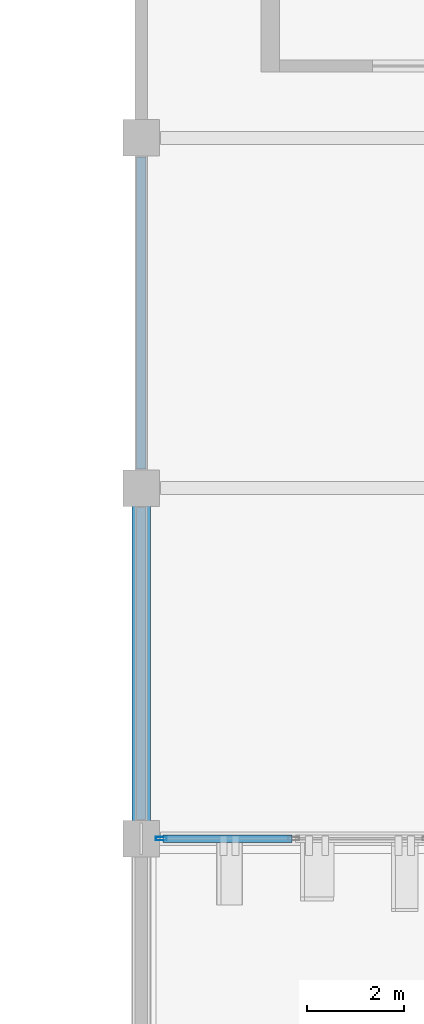
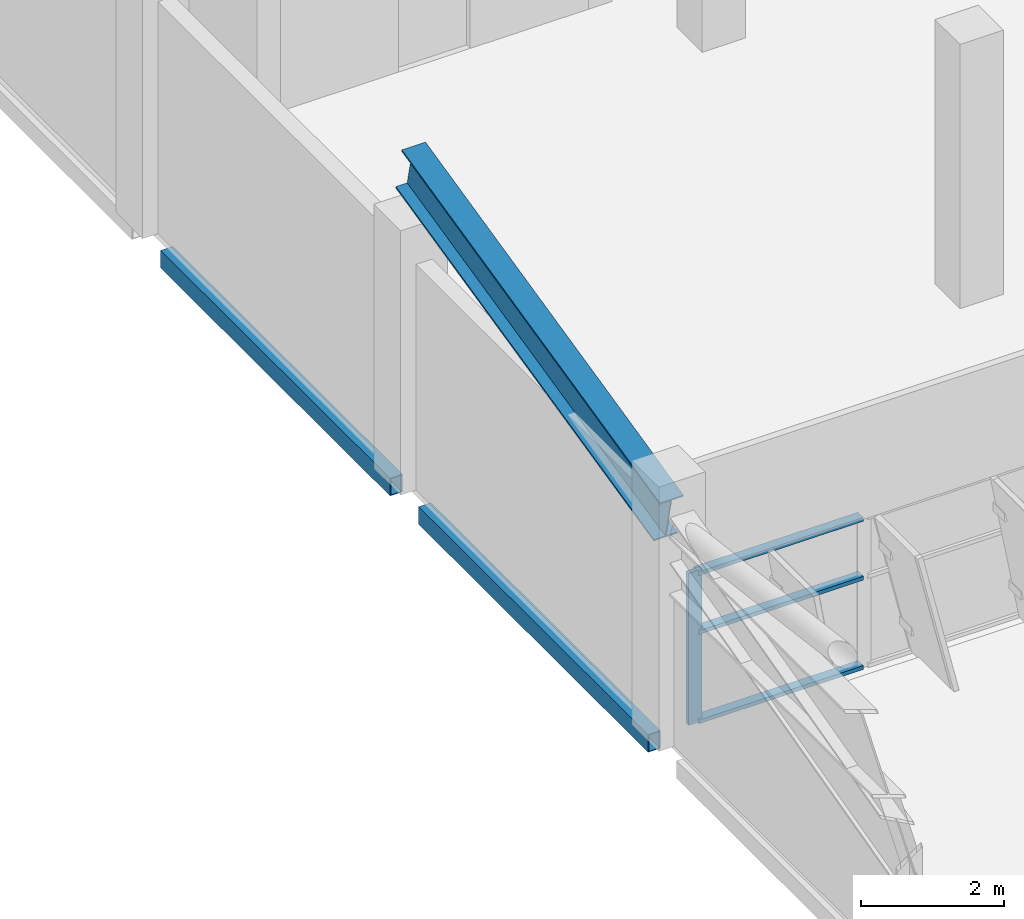
# One storey, part 20 of 151: 5 members, 2 beams, 1 element without a shape of its own.
"""IFC4 building model written with IfcOpenShell, lengths in metres."""

from ifc_helpers import new_model, si_unit, direction, frame, origin, origin_2d, place, context, subcontext, project, spatial, hollow_rectangle, i_section, extrude, material, layer, layer_set, material_profile, profile_set, type_object, element, aggregate, save


model = new_model("IFC4")

# Units and contexts
model_context = context("Model", 3, precision=1e-05, world=origin(), true_north=direction((0.0, 1.0)))
body_context = subcontext(model_context, "Body", "Model", "MODEL_VIEW")
ifc_project = project(units=[si_unit("LENGTHUNIT", "METRE"), si_unit("AREAUNIT", "SQUARE_METRE"), si_unit("VOLUMEUNIT", "CUBIC_METRE"), si_unit("PLANEANGLEUNIT", "RADIAN"), si_unit("MASSUNIT", "GRAM", prefix="KILO")], contexts=[model_context])

# Site, building, storey
site_placement = place(None, origin())
site = spatial("IfcSite", under=ifc_project, at=site_placement, CompositionType="ELEMENT")
building_placement = place(site_placement, origin())
building = spatial("IfcBuilding", under=site, at=building_placement, Name="Celestram Park Convention Centre", CompositionType="ELEMENT")
storey_placement = place(building_placement, frame((0.0, 0.0, 10.800048828125)))
storey = spatial("IfcBuildingStorey", under=building, at=storey_placement, Name="L02", CompositionType="ELEMENT", Elevation=10.800048828125)

# Curtain wall, members
ifc_material_1 = material(Name="Anodised Aluminium Alloy 6063-T6", Category="aluminium")
ifc_layer = layer(ifc_material_1, 0.179931640625)
ifc_layer_set = layer_set([ifc_layer], Name="Anodised Aluminium Alloy 6063-T6")
curtain_wall_type = type_object("IfcCurtainWallType", Name="ARC-CW-828X259", PredefinedType="NOTDEFINED", material=ifc_layer_set)
curtain_wall_placement = place(storey_placement, origin())
curtain_wall = element("IfcCurtainWall", 1, at=curtain_wall_placement, inside=storey, type_object=curtain_wall_type, Name="Unitised curtain wall CU-L02-194", PredefinedType="NOTDEFINED")
ifc_material_profile_1 = material_profile(ifc_material_1, hollow_rectangle(XDim=0.074951171875, YDim=0.219970703125, WallThickness=0.00390625, at=origin_2d()), Name="ALU75X220X4")
ifc_profile_set_1 = profile_set([ifc_material_profile_1], Name="Anodised Aluminium Alloy 6063-T6")
member_type_1 = type_object("IfcMemberType", Name="ARC-CWM-180", PredefinedType="MULLION", material=ifc_profile_set_1)
member_1_placement = place(storey_placement, frame((126.410400390625, 36.0, 0.0), z_axis=(0.0, 0.0, 1.0), x_axis=(0.0, -1.0, 0.0)))
member_1 = element("IfcMember", 2, at=member_1_placement, type_object=member_type_1, Name="CW-82X25 mullion 4", PredefinedType="MULLION", context=body_context, shape_type="SweptSolid", body=[
    extrude(hollow_rectangle(XDim=0.074951171875, YDim=0.219970703125, WallThickness=0.00390625, at=origin_2d()), origin(), (0.0, 0.0, 1.0), 2.5888671875),
])
ifc_material_profile_2 = material_profile(ifc_material_1, hollow_rectangle(XDim=0.14990234375, YDim=0.06494140625, WallThickness=0.0029296875, at=origin_2d()), Name="ALU150X65X3")
ifc_profile_set_2 = profile_set([ifc_material_profile_2], Name="Anodised Aluminium Alloy 6063-T6")
member_type_2 = type_object("IfcMemberType", Name="ARC-CWT-150", PredefinedType="USERDEFINED", material=ifc_profile_set_2)
member_2_placement = place(storey_placement, frame((129.09521484375, 36.0, 0.032470703125), z_axis=(-1.0, 0.0, 0.0), x_axis=(0.0, -1.0, 0.0)))
member_2 = element("IfcMember", 3, at=member_2_placement, type_object=member_type_2, Name="CW-82X25 transom 3.1", ObjectType="TRANSOM", PredefinedType="USERDEFINED", context=body_context, shape_type="SweptSolid", body=[
    extrude(hollow_rectangle(XDim=0.14990234375, YDim=0.06494140625, WallThickness=0.0029296875, at=origin_2d()), origin(), (0.0, 0.0, 1.0), 2.647216796875),
])
member_3_placement = place(storey_placement, frame((129.09521484375, 36.0, 1.552978515625), z_axis=(-1.0, 0.0, 0.0), x_axis=(0.0, -1.0, 0.0)))
member_3 = element("IfcMember", 4, at=member_3_placement, type_object=member_type_2, Name="CW-82X25 transom 3.2", ObjectType="TRANSOM", PredefinedType="USERDEFINED", context=body_context, shape_type="SweptSolid", body=[
    extrude(hollow_rectangle(XDim=0.14990234375, YDim=0.06494140625, WallThickness=0.0029296875, at=origin_2d()), origin(), (0.0, 0.0, 1.0), 2.647216796875),
])
member_4_placement = place(storey_placement, frame((129.09521484375, 36.0, 2.556396484375), z_axis=(-1.0, 0.0, 0.0), x_axis=(0.0, -1.0, 0.0)))
member_4 = element("IfcMember", 5, at=member_4_placement, type_object=member_type_2, Name="CW-82X25 transom 3.3", ObjectType="TRANSOM", PredefinedType="USERDEFINED", context=body_context, shape_type="SweptSolid", body=[
    extrude(hollow_rectangle(XDim=0.14990234375, YDim=0.06494140625, WallThickness=0.0029296875, at=origin_2d()), origin(), (0.0, 0.0, 1.0), 2.647216796875),
])
aggregate(curtain_wall, [member_1, member_2, member_3, member_4])

# Member
ifc_material_2 = material(Name="Steel ASTM A992 Grade 50", Category="steel")
ifc_material_profile_3 = material_profile(ifc_material_2, i_section(OverallWidth=0.381103515625, OverallDepth=0.77197265625, WebThickness=0.0166015625, FlangeThickness=0.027099609375, at=origin_2d()), Name="W30X173")
ifc_profile_set_3 = profile_set([ifc_material_profile_3], Name="Steel ASTM A992 Grade 50")
member_type_3 = type_object("IfcMemberType", Name="STR-CHD-W30X173", PredefinedType="CHORD", material=ifc_profile_set_3)
member_5_placement = place(storey_placement, frame((126.0, 36.0, 3.615234375), z_axis=(0.0, 0.9747852179, 0.223145197045), x_axis=(-1.0, 0.0, 0.0)))
element("IfcMember", 6, at=member_5_placement, inside=storey, type_object=member_type_3, Name="V1 arch bottom chord", PredefinedType="CHORD", context=body_context, shape_type="SweptSolid", body=[
    extrude(i_section(OverallWidth=0.381103515625, OverallDepth=0.77197265625, WebThickness=0.0166015625, FlangeThickness=0.027099609375, at=origin_2d()), origin(), (0.0, 0.0, 1.0), 7.38623046875),
])

# Beams
ifc_material_3 = material(Name="Steel ASTM A500 Grade C", Category="steel")
ifc_material_profile_4 = material_profile(ifc_material_3, hollow_rectangle(XDim=0.199951171875, YDim=0.300048828125, WallThickness=0.011962890625, at=origin_2d()), Name="HSS300X200X12")
ifc_profile_set_4 = profile_set([ifc_material_profile_4], Name="Steel ASTM A500 Grade C")
beam_type = type_object("IfcBeamType", Name="STR-SPN-HSS300X200", PredefinedType="SPANDREL", material=ifc_profile_set_4)
for number, where, z_axis, x_axis, name in (
    (7, (126.0, 36.39794921875, -0.429931640625), (0.0, 1.0, 0.0), (-1.0, 0.0, 0.0), "Primary Y-girder BG-L02-0161"),
    (8, (126.0, 43.597900390625, -0.429931640625), (0.0, 1.0, 0.0), (-1.0, 0.0, 0.0), "Primary Y-girder BG-L02-0163"),
):
    element("IfcBeam", number, at=place(storey_placement, frame(where, z_axis=z_axis, x_axis=x_axis)), inside=storey, type_object=beam_type, Name=name, PredefinedType="SPANDREL", context=body_context, shape_type="SweptSolid", body=[
        extrude(hollow_rectangle(XDim=0.199951171875, YDim=0.300048828125, WallThickness=0.011962890625, at=origin_2d()), origin(), (0.0, 0.0, 1.0), 6.404052734375),
    ])

save(model, "model.ifc")
